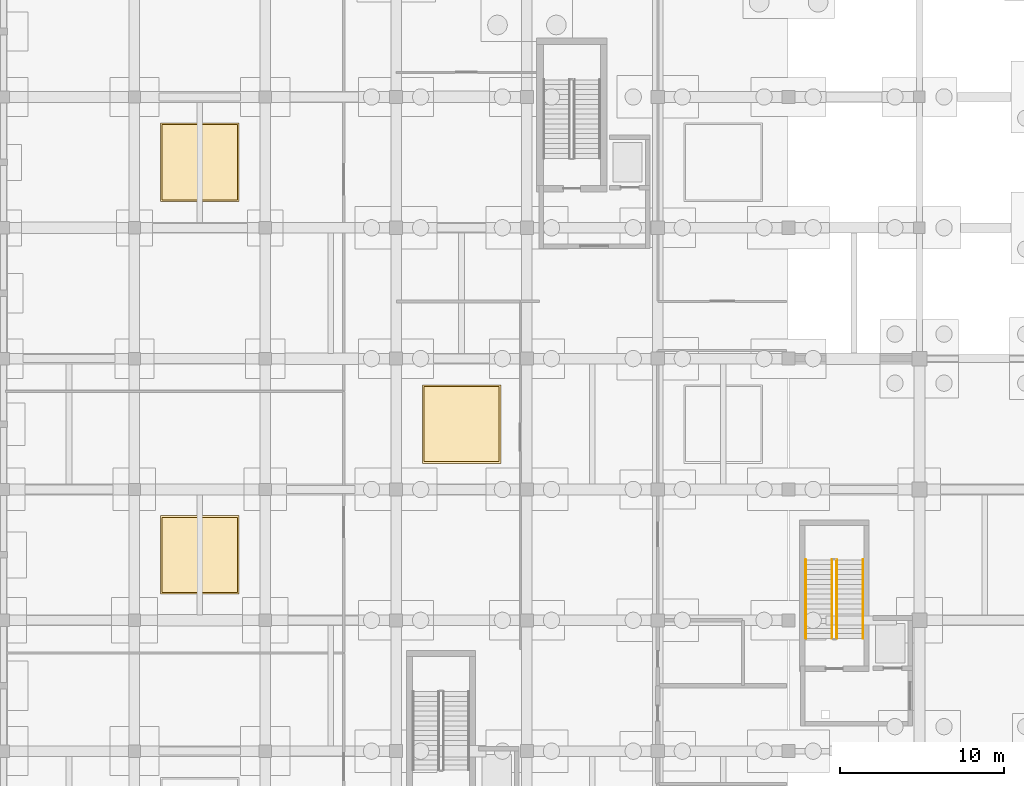
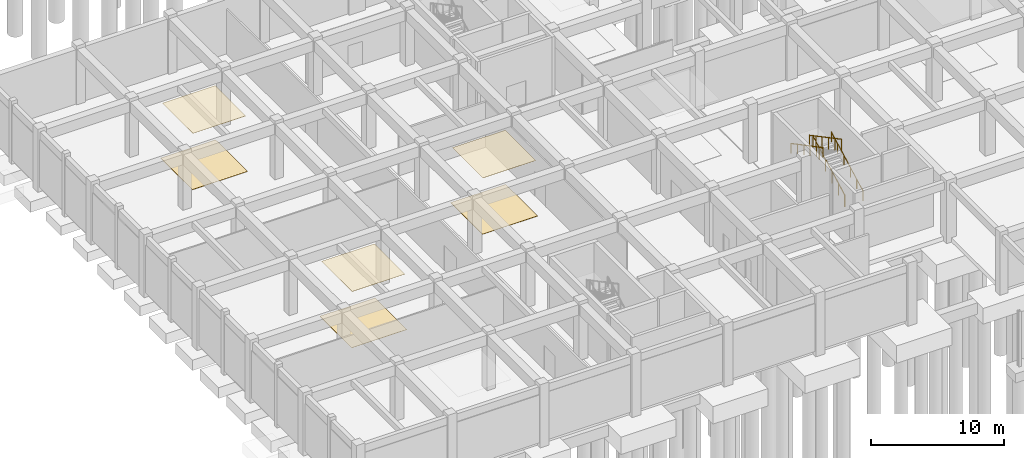
# One storey, part 35 of 45: 6 coverings, 4 railings.
"""IFC4 building model written with IfcOpenShell, lengths in metres."""

from ifc_helpers import new_model, si_unit, direction, frame, origin, origin_2d, place, context, subcontext, project, spatial, rectangle, circle, extrude, material, layer, layer_set, type_object, element, save


model = new_model("IFC4")

# Units and contexts
model_context = context("Model", 3, precision=1e-05, world=origin(), true_north=direction((0.0, 1.0)))
body_context = subcontext(model_context, "Body", "Model", "MODEL_VIEW")
ifc_project = project(units=[si_unit("LENGTHUNIT", "METRE"), si_unit("AREAUNIT", "SQUARE_METRE"), si_unit("VOLUMEUNIT", "CUBIC_METRE"), si_unit("PLANEANGLEUNIT", "RADIAN"), si_unit("MASSUNIT", "GRAM", prefix="KILO")], contexts=[model_context])

# Site, building, storey
site_placement = place(None, origin())
site = spatial("IfcSite", under=ifc_project, at=site_placement, CompositionType="ELEMENT")
building_placement = place(site_placement, origin())
building = spatial("IfcBuilding", under=site, at=building_placement, Name="Kenh Van Central Station", CompositionType="ELEMENT")
storey_placement = place(building_placement, frame((0.0, 0.0, -5.39990234375)))
storey = spatial("IfcBuildingStorey", under=building, at=storey_placement, Name="B1", CompositionType="ELEMENT", Elevation=-5.39990234375)

# Coverings
ifc_material_1 = material(Name="Perforated acoustic mineral ceiling board")
ifc_layer_1 = layer(ifc_material_1, 0.02490234375, Name="Perforated acoustic mineral ceiling board")
ifc_layer_set_1 = layer_set([ifc_layer_1], Name="Perforated acoustic mineral ceiling board")
covering_type_1 = type_object("IfcCoveringType", Name="COV-CEIL-ACOUST", PredefinedType="CEILING", material=ifc_layer_set_1)
for number, where, z_axis, x_axis, name in (
    (1, (12.0, 52.0, 5.076904296875), (0.0, 0.0, 1.0), (1.0, 0.0, 0.0), "B1 acoustic ceiling panel 001"),
    (2, (12.0, 28.0, 5.076904296875), (0.0, 0.0, 1.0), (1.0, 0.0, 0.0), "B1 acoustic ceiling panel 002"),
    (3, (28.0, 36.0, 5.076904296875), (0.0, 0.0, 1.0), (1.0, 0.0, 0.0), "B1 acoustic ceiling panel 004"),
):
    element("IfcCovering", number, at=place(storey_placement, frame(where, z_axis=z_axis, x_axis=x_axis)), inside=storey, type_object=covering_type_1, Name=name, PredefinedType="CEILING", context=body_context, shape_type="SweptSolid", body=[
        extrude(rectangle(XDim=4.60009765625, YDim=4.60009765625, at=origin_2d()), origin(), (0.0, 0.0, 1.0), 0.02490234375),
    ])
ifc_material_2 = material(Name="Polished station granite terrazzo", Category="masonry")
ifc_layer_2 = layer(ifc_material_2, 0.02001953125, Name="Polished station granite terrazzo")
ifc_layer_set_2 = layer_set([ifc_layer_2], Name="Polished station granite terrazzo")
covering_type_2 = type_object("IfcCoveringType", Name="COV-FLR-GRANITE", PredefinedType="FLOORING", material=ifc_layer_set_2)
for number, where, z_axis, x_axis, name in (
    (4, (12.0, 52.0, 0.0), (0.0, 0.0, 1.0), (1.0, 0.0, 0.0), "B1 granite floor finish 001"),
    (5, (12.0, 28.0, 0.0), (0.0, 0.0, 1.0), (1.0, 0.0, 0.0), "B1 granite floor finish 002"),
    (6, (28.0, 36.0, 0.0), (0.0, 0.0, 1.0), (1.0, 0.0, 0.0), "B1 granite floor finish 004"),
):
    element("IfcCovering", number, at=place(storey_placement, frame(where, z_axis=z_axis, x_axis=x_axis)), inside=storey, type_object=covering_type_2, Name=name, PredefinedType="FLOORING", context=body_context, shape_type="SweptSolid", body=[
        extrude(rectangle(XDim=4.800048828125, YDim=4.800048828125, at=origin_2d()), origin(), (0.0, 0.0, 1.0), 0.02001953125),
    ])

# Railings
ifc_material_3 = material(Name="Champagne anodised aluminium", Category="aluminium")
railing_type_1 = type_object("IfcRailingType", Name="RAIL-CORE-GRD110", PredefinedType="GUARDRAIL", material=ifc_material_3)
railing_1_placement = place(storey_placement, frame((50.949951171875, 22.89990234375, 0.15869140625)))
element("IfcRailing", 7, at=railing_1_placement, inside=storey, type_object=railing_type_1, Name="B1 ST-03 stair guard 1", PredefinedType="GUARDRAIL", context=body_context, shape_type="SweptSolid", body=[
    extrude(circle(Radius=0.02392578125, at=origin_2d()), frame((0.0, 0.0, 1.076171875), z_axis=(0.0, 0.883783542688, 0.467895981682), x_axis=(-1.0, 0.0, 0.0)), (0.0, 0.0, 1.0), 5.43115234375),
    extrude(circle(Radius=0.02099609375, at=origin_2d()), origin(), (0.0, 0.0, 1.0), 1.052001953125),
    extrude(circle(Radius=0.02099609375, at=origin_2d()), frame((0.0, 0.9599609375, 0.50830078125)), (0.0, 0.0, 1.0), 1.052001953125),
    extrude(circle(Radius=0.02099609375, at=origin_2d()), frame((0.0, 1.919921875, 1.0166015625)), (0.0, 0.0, 1.0), 1.052001953125),
    extrude(circle(Radius=0.02099609375, at=origin_2d()), frame((0.0, 2.880126953125, 1.524658203125)), (0.0, 0.0, 1.0), 1.052001953125),
    extrude(circle(Radius=0.02099609375, at=origin_2d()), frame((0.0, 3.840087890625, 2.032958984375)), (0.0, 0.0, 1.0), 1.052001953125),
    extrude(circle(Radius=0.02099609375, at=origin_2d()), frame((0.0, 4.800048828125, 2.541259765625)), (0.0, 0.0, 1.0), 1.052001953125),
])
railing_2_placement = place(storey_placement, frame((50.64990234375, 27.699951171875, 2.858642578125)))
element("IfcRailing", 8, at=railing_2_placement, inside=storey, type_object=railing_type_1, Name="B1 ST-03 stair guard 3", PredefinedType="GUARDRAIL", context=body_context, shape_type="SweptSolid", body=[
    extrude(circle(Radius=0.02392578125, at=origin_2d()), frame((0.0, 0.0, 1.076171875), z_axis=(0.0, -0.883783542688, 0.467895981682), x_axis=(1.0, 0.0, 0.0)), (0.0, 0.0, 1.0), 5.43115234375),
    extrude(circle(Radius=0.02099609375, at=origin_2d()), origin(), (0.0, 0.0, 1.0), 1.052001953125),
    extrude(circle(Radius=0.02099609375, at=origin_2d()), frame((0.0, -0.9599609375, 0.50830078125)), (0.0, 0.0, 1.0), 1.052001953125),
    extrude(circle(Radius=0.02099609375, at=origin_2d()), frame((0.0, -1.919921875, 1.0166015625)), (0.0, 0.0, 1.0), 1.052001953125),
    extrude(circle(Radius=0.02099609375, at=origin_2d()), frame((0.0, -2.880126953125, 1.524658203125)), (0.0, 0.0, 1.0), 1.052001953125),
    extrude(circle(Radius=0.02099609375, at=origin_2d()), frame((0.0, -3.840087890625, 2.032958984375)), (0.0, 0.0, 1.0), 1.052001953125),
    extrude(circle(Radius=0.02099609375, at=origin_2d()), frame((0.0, -4.800048828125, 2.541259765625)), (0.0, 0.0, 1.0), 1.052001953125),
])
railing_type_2 = type_object("IfcRailingType", Name="RAIL-CORE-HND90", PredefinedType="HANDRAIL", material=ifc_material_3)
railing_3_placement = place(storey_placement, frame((52.550048828125, 22.89990234375, 0.15869140625)))
element("IfcRailing", 9, at=railing_3_placement, inside=storey, type_object=railing_type_2, Name="B1 ST-03 stair handrail 1", PredefinedType="HANDRAIL", context=body_context, shape_type="SweptSolid", body=[
    extrude(circle(Radius=0.02392578125, at=origin_2d()), frame((0.0, 0.0, 0.8759765625), z_axis=(0.0, 0.883783542688, 0.467895981682), x_axis=(-1.0, 0.0, 0.0)), (0.0, 0.0, 1.0), 5.43115234375),
    extrude(circle(Radius=0.02099609375, at=origin_2d()), origin(), (0.0, 0.0, 1.0), 0.851806640625),
    extrude(circle(Radius=0.02099609375, at=origin_2d()), frame((0.0, 0.9599609375, 0.50830078125)), (0.0, 0.0, 1.0), 0.851806640625),
    extrude(circle(Radius=0.02099609375, at=origin_2d()), frame((0.0, 1.919921875, 1.0166015625)), (0.0, 0.0, 1.0), 0.851806640625),
    extrude(circle(Radius=0.02099609375, at=origin_2d()), frame((0.0, 2.880126953125, 1.524658203125)), (0.0, 0.0, 1.0), 0.851806640625),
    extrude(circle(Radius=0.02099609375, at=origin_2d()), frame((0.0, 3.840087890625, 2.032958984375)), (0.0, 0.0, 1.0), 0.851806640625),
    extrude(circle(Radius=0.02099609375, at=origin_2d()), frame((0.0, 4.800048828125, 2.541259765625)), (0.0, 0.0, 1.0), 0.851806640625),
])
railing_4_placement = place(storey_placement, frame((49.050048828125, 27.699951171875, 2.858642578125)))
element("IfcRailing", 10, at=railing_4_placement, inside=storey, type_object=railing_type_2, Name="B1 ST-03 stair handrail 2", PredefinedType="HANDRAIL", context=body_context, shape_type="SweptSolid", body=[
    extrude(circle(Radius=0.02392578125, at=origin_2d()), frame((0.0, 0.0, 0.8759765625), z_axis=(0.0, -0.883783542688, 0.467895981682), x_axis=(1.0, 0.0, 0.0)), (0.0, 0.0, 1.0), 5.43115234375),
    extrude(circle(Radius=0.02099609375, at=origin_2d()), origin(), (0.0, 0.0, 1.0), 0.851806640625),
    extrude(circle(Radius=0.02099609375, at=origin_2d()), frame((0.0, -0.9599609375, 0.50830078125)), (0.0, 0.0, 1.0), 0.851806640625),
    extrude(circle(Radius=0.02099609375, at=origin_2d()), frame((0.0, -1.919921875, 1.0166015625)), (0.0, 0.0, 1.0), 0.851806640625),
    extrude(circle(Radius=0.02099609375, at=origin_2d()), frame((0.0, -2.880126953125, 1.524658203125)), (0.0, 0.0, 1.0), 0.851806640625),
    extrude(circle(Radius=0.02099609375, at=origin_2d()), frame((0.0, -3.840087890625, 2.032958984375)), (0.0, 0.0, 1.0), 0.851806640625),
    extrude(circle(Radius=0.02099609375, at=origin_2d()), frame((0.0, -4.800048828125, 2.541259765625)), (0.0, 0.0, 1.0), 0.851806640625),
])

save(model, "model.ifc")
